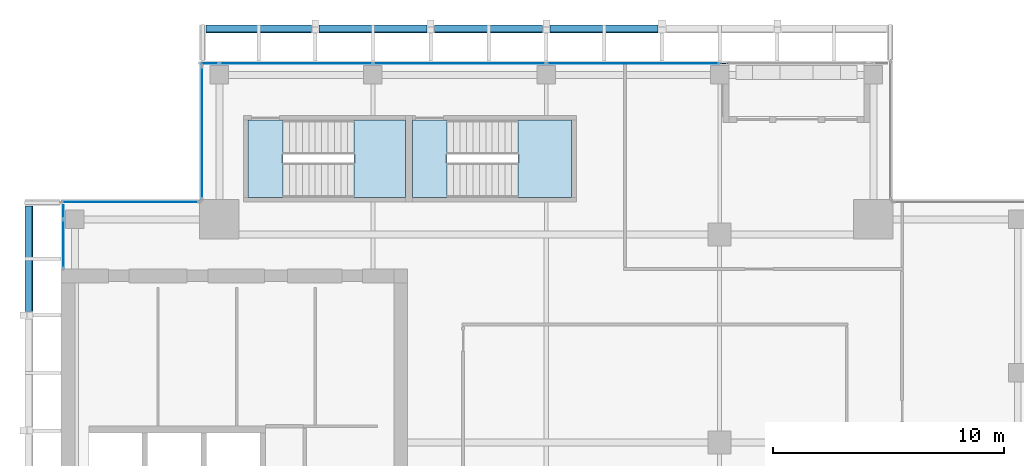
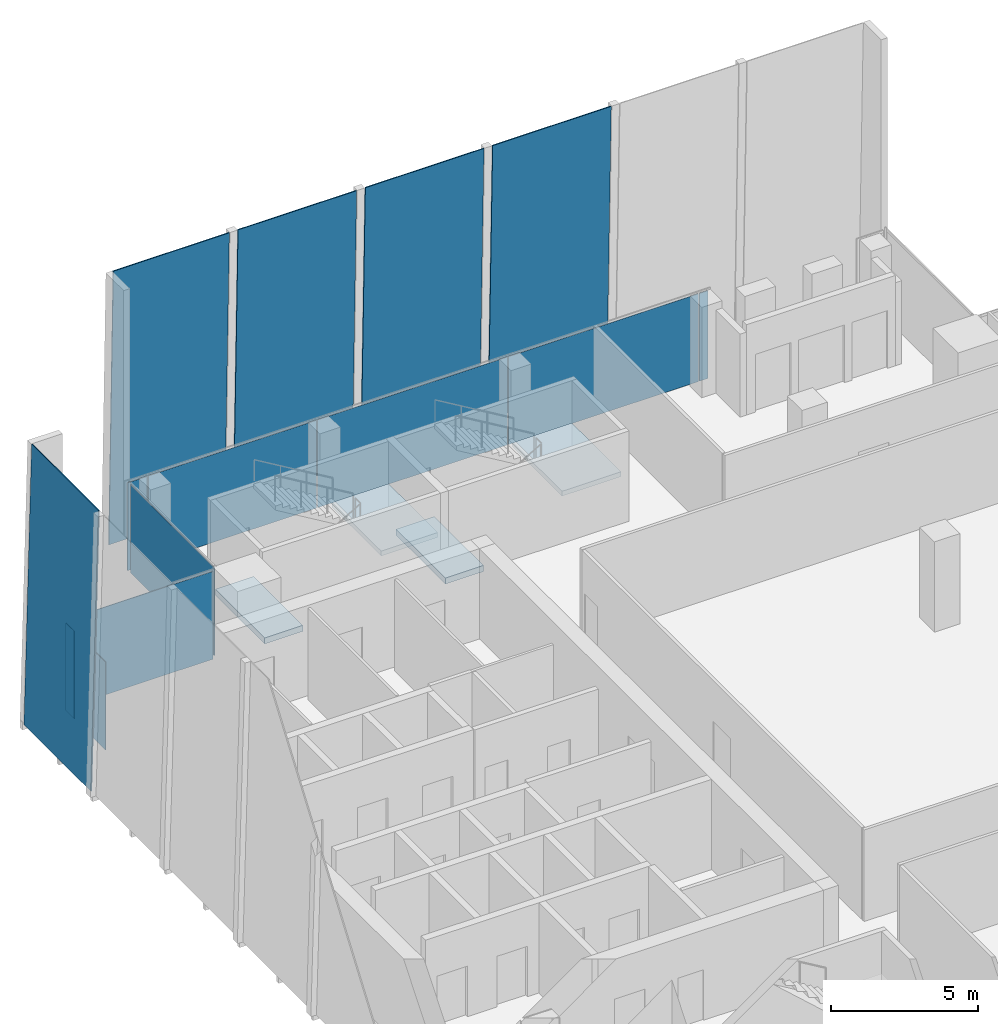
# One storey, part 24 of 32: 14 plates, 4 slabs, 6 elements without a shape of their own.
"""IFC4 building model written with IfcOpenShell, lengths in metres."""

from ifc_helpers import new_model, si_unit, direction, frame, origin, origin_2d, place, context, subcontext, project, spatial, polyline, rectangle, outline, extrude, source, transform, mapped, material, layer, layer_set, type_object, element, aggregate, save


model = new_model("IFC4")

# Units and contexts
model_context = context("Model", 3, precision=1e-05, world=origin(), true_north=direction((0.0, 1.0)))
body_context = subcontext(model_context, "Body", "Model", "MODEL_VIEW")
ifc_project = project(units=[si_unit("LENGTHUNIT", "METRE"), si_unit("AREAUNIT", "SQUARE_METRE"), si_unit("VOLUMEUNIT", "CUBIC_METRE"), si_unit("PLANEANGLEUNIT", "RADIAN"), si_unit("MASSUNIT", "GRAM", prefix="KILO")], contexts=[model_context])

# Site, building, storey
site_placement = place(None, origin())
site = spatial("IfcSite", under=ifc_project, at=site_placement, CompositionType="ELEMENT")
building_placement = place(site_placement, origin())
building = spatial("IfcBuilding", under=site, at=building_placement, Name="Khomas Fold Tower", CompositionType="ELEMENT")
storey_placement = place(building_placement, frame((0.0, 0.0, 318.199951171875)))
storey = spatial("IfcBuildingStorey", under=building, at=storey_placement, Name="L72", CompositionType="ELEMENT", Elevation=318.199951171875)

# Plates
ifc_material_1 = material(Name="Clear laminated glass", Category="glass")
ifc_layer_1 = layer(ifc_material_1, 0.0400390625)
ifc_layer_set_1 = layer_set([ifc_layer_1], Name="Clear laminated glass")
plate_type_1 = type_object("IfcPlateType", Name="SK-Clear laminated glass leaf", PredefinedType="SHEET", material=ifc_layer_set_1)
plate_1_placement = place(storey_placement, frame((12.27001953125, 49.5654296875, 0.0009765625), z_axis=(0.0, 0.999657230839, 0.026180543005), x_axis=(1.0, 0.0, 0.0)))
element("IfcPlate", 1, at=plate_1_placement, inside=storey, type_object=plate_type_1, Name="OUTER SKIN glass L72 N1", PredefinedType="SHEET", context=body_context, shape_type="SweptSolid", body=[
    extrude(outline(polyline([(0.0, 0.0), (4.56005859375, 0.0), (4.56005859375, -11.554009186164079), (0.0, -11.554009186164079), (0.0, 0.0)])), origin(), (0.0, 0.0, -1.0), 0.0400390625),
])
for number, where, z_axis, x_axis, name in (
    (2, (17.169921875, 49.5654296875, 0.0009765625), (0.0, 0.999657230839, 0.026180543005), (1.0, 0.0, 0.0), "OUTER SKIN glass L72 N3"),
    (3, (22.169921875, 49.5654296875, 0.0009765625), (0.0, 0.999657230839, 0.026180543005), (1.0, 0.0, 0.0), "OUTER SKIN glass L72 N5"),
    (4, (27.169921875, 49.5654296875, 0.0009765625), (0.0, 0.999657230839, 0.026180543005), (1.0, 0.0, 0.0), "OUTER SKIN glass L72 N7"),
):
    element("IfcPlate", number, at=place(storey_placement, frame(where, z_axis=z_axis, x_axis=x_axis)), inside=storey, type_object=plate_type_1, Name=name, PredefinedType="SHEET", context=body_context, shape_type="SweptSolid", body=[
        extrude(outline(polyline([(0.0, 0.0), (4.66015625, 0.0), (4.66015625, -11.554009186164079), (0.0, -11.554009186164079), (0.0, 0.0)])), origin(), (0.0, 0.0, -1.0), 0.0400390625),
    ])
plate_2_placement = place(storey_placement, frame((4.4345703125, 37.169921875, 0.0009765625), z_axis=(-0.999657230839, 0.0, 0.026180543005), x_axis=(0.0, 1.0, 0.0)))
element("IfcPlate", 5, at=plate_2_placement, inside=storey, type_object=plate_type_1, Name="OUTER SKIN glass L72 W11", PredefinedType="SHEET", context=body_context, shape_type="SweptSolid", body=[
    extrude(outline(polyline([(0.0, 0.0), (4.56005859375, 0.0), (4.56005859375, -11.554009186164079), (0.0, -11.554009186164079), (0.0, 0.0)])), origin(), (0.0, 0.0, -1.0), 0.0400390625),
])

# Curtain wall, plate
ifc_material_2 = material(Name="Aluminium framed double glazing", Category="aluminium")
curtain_wall_type = type_object("IfcCurtainWallType", Name="SK-Unitised clear-glass wall, upper floors CW3", PredefinedType="NOTDEFINED", material=ifc_material_2)
curtain_wall_1_placement = place(storey_placement, origin())
curtain_wall_1 = element("IfcCurtainWall", 6, at=curtain_wall_1_placement, inside=storey, type_object=curtain_wall_type, Name="CW3 run L72 09-0", PredefinedType="NOTDEFINED")
ifc_material_3 = material(Name="Clear double glazed unit")
ifc_layer_2 = layer(ifc_material_3, 0.028076171875)
ifc_layer_set_2 = layer_set([ifc_layer_2], Name="Clear double glazed unit")
plate_type_2 = type_object("IfcPlateType", Name="SK-Unitised clear-glass wall, upper floors glass panel CW3-P", PredefinedType="CURTAIN_PANEL", material=ifc_layer_set_2)
shared_shape_1 = source(origin(), body_context, "Body", "SweptSolid", [
    extrude(rectangle(XDim=0.574951171875, YDim=0.028076171875, at=origin_2d()), origin(), (0.0, 0.0, 1.0), 3.64990234375),
])
plate_3_placement = place(storey_placement, frame((6.10009765625, 41.46240234375, 0.0), z_axis=(0.0, 0.0, 1.0), x_axis=(0.0, -1.0, 0.0)))
plate_3 = element("IfcPlate", 7, at=plate_3_placement, type_object=plate_type_2, Name="CW3 glass panel 1", PredefinedType="CURTAIN_PANEL", context=body_context, shape_type="MappedRepresentation", body=[
    mapped(shared_shape_1, transform((0.0, 0.0, 0.0))),
])

# Curtain wall, plates
curtain_wall_2_placement = place(storey_placement, origin())
curtain_wall_2 = element("IfcCurtainWall", 8, at=curtain_wall_2_placement, inside=storey, type_object=curtain_wall_type, Name="CW3 run L72 06-1", PredefinedType="NOTDEFINED")
shared_shape_2 = source(origin(), body_context, "Body", "SweptSolid", [
    extrude(rectangle(XDim=6.60009765625, YDim=0.028076171875, at=origin_2d()), origin(), (0.0, 0.0, 1.0), 3.64990234375),
])
plate_4_placement = place(storey_placement, frame((16.175048828125, 47.89990234375, 0.0), z_axis=(0.0, 0.0, 1.0), x_axis=(-1.0, 0.0, 0.0)))
plate_4 = element("IfcPlate", 9, at=plate_4_placement, type_object=plate_type_2, Name="CW3 glass panel 4", PredefinedType="CURTAIN_PANEL", context=body_context, shape_type="MappedRepresentation", body=[
    mapped(shared_shape_2, transform((0.0, 0.0, 0.0))),
])
shared_shape_3 = source(origin(), body_context, "Body", "SweptSolid", [
    extrude(rectangle(XDim=7.449951171875, YDim=0.028076171875, at=origin_2d()), origin(), (0.0, 0.0, 1.0), 3.64990234375),
])
plate_5_placement = place(storey_placement, frame((30.75, 47.89990234375, 0.0), z_axis=(0.0, 0.0, 1.0), x_axis=(-1.0, 0.0, 0.0)))
plate_5 = element("IfcPlate", 10, at=plate_5_placement, type_object=plate_type_2, Name="CW3 glass panel 2", PredefinedType="CURTAIN_PANEL", context=body_context, shape_type="MappedRepresentation", body=[
    mapped(shared_shape_3, transform((0.0, 0.0, 0.0))),
])
plate_6_placement = place(storey_placement, frame((23.25, 47.89990234375, 0.0), z_axis=(0.0, 0.0, 1.0), x_axis=(-1.0, 0.0, 0.0)))
plate_6 = element("IfcPlate", 11, at=plate_6_placement, type_object=plate_type_2, Name="CW3 glass panel 3", PredefinedType="CURTAIN_PANEL", context=body_context, shape_type="MappedRepresentation", body=[
    mapped(shared_shape_3, transform((0.0, 0.0, 0.0))),
])
shared_shape_4 = source(origin(), body_context, "Body", "SweptSolid", [
    extrude(rectangle(XDim=0.77490234375, YDim=0.028076171875, at=origin_2d()), origin(), (0.0, 0.0, 1.0), 3.64990234375),
])
plate_7_placement = place(storey_placement, frame((12.4375, 47.89990234375, 0.0), z_axis=(0.0, 0.0, 1.0), x_axis=(-1.0, 0.0, 0.0)))
plate_7 = element("IfcPlate", 12, at=plate_7_placement, type_object=plate_type_2, Name="CW3 glass panel 5", PredefinedType="CURTAIN_PANEL", context=body_context, shape_type="MappedRepresentation", body=[
    mapped(shared_shape_4, transform((0.0, 0.0, 0.0))),
])

# Curtain wall, plate
curtain_wall_3_placement = place(storey_placement, origin())
curtain_wall_3 = element("IfcCurtainWall", 13, at=curtain_wall_3_placement, inside=storey, type_object=curtain_wall_type, Name="CW3 corner return L72 07", PredefinedType="NOTDEFINED")
shared_shape_5 = source(origin(), body_context, "Body", "SweptSolid", [
    extrude(rectangle(XDim=5.699951171875, YDim=0.028076171875, at=origin_2d()), origin(), (0.0, 0.0, 1.0), 3.64990234375),
])
plate_8_placement = place(storey_placement, frame((12.10009765625, 44.89990234375, 0.0), z_axis=(0.0, 0.0, 1.0), x_axis=(0.0, -1.0, 0.0)))
plate_8 = element("IfcPlate", 14, at=plate_8_placement, type_object=plate_type_2, Name="CW3 glass panel 1", PredefinedType="CURTAIN_PANEL", context=body_context, shape_type="MappedRepresentation", body=[
    mapped(shared_shape_5, transform((0.0, 0.0, 0.0))),
])
aggregate(curtain_wall_3, [plate_8])

curtain_wall_4_placement = place(storey_placement, origin())
curtain_wall_4 = element("IfcCurtainWall", 15, at=curtain_wall_4_placement, inside=storey, type_object=curtain_wall_type, Name="CW3 corner return L72 08", PredefinedType="NOTDEFINED")
shared_shape_6 = source(origin(), body_context, "Body", "SweptSolid", [
    extrude(rectangle(XDim=5.89990234375, YDim=0.028076171875, at=origin_2d()), origin(), (0.0, 0.0, 1.0), 3.64990234375),
])
plate_9_placement = place(storey_placement, frame((9.0, 41.89990234375, 0.0), z_axis=(0.0, 0.0, 1.0), x_axis=(-1.0, 0.0, 0.0)))
plate_9 = element("IfcPlate", 16, at=plate_9_placement, type_object=plate_type_2, Name="CW3 glass panel 1", PredefinedType="CURTAIN_PANEL", context=body_context, shape_type="MappedRepresentation", body=[
    mapped(shared_shape_6, transform((0.0, 0.0, 0.0))),
])
aggregate(curtain_wall_4, [plate_9])

# Plate
shared_shape_7 = source(origin(), body_context, "Body", "SweptSolid", [
    extrude(rectangle(XDim=0.324951171875, YDim=0.028076171875, at=origin_2d()), origin(), (0.0, 0.0, 1.0), 3.64990234375),
])
plate_10_placement = place(storey_placement, frame((34.6875, 47.89990234375, 0.0), z_axis=(0.0, 0.0, 1.0), x_axis=(-1.0, 0.0, 0.0)))
plate_10 = element("IfcPlate", 17, at=plate_10_placement, type_object=plate_type_2, Name="CW3 glass panel 1", PredefinedType="CURTAIN_PANEL", context=body_context, shape_type="MappedRepresentation", body=[
    mapped(shared_shape_7, transform((0.0, 0.0, 0.0))),
])

aggregate(curtain_wall_2, [plate_10, plate_5, plate_6, plate_4, plate_7])

shared_shape_8 = source(origin(), body_context, "Body", "SweptSolid", [
    extrude(rectangle(XDim=2.074951171875, YDim=0.028076171875, at=origin_2d()), origin(), (0.0, 0.0, 1.0), 3.64990234375),
])
plate_11_placement = place(storey_placement, frame((6.10009765625, 40.08740234375, 0.0), z_axis=(0.0, 0.0, 1.0), x_axis=(0.0, -1.0, 0.0)))
plate_11 = element("IfcPlate", 18, at=plate_11_placement, type_object=plate_type_2, Name="CW3 glass panel 2", PredefinedType="CURTAIN_PANEL", context=body_context, shape_type="MappedRepresentation", body=[
    mapped(shared_shape_8, transform((0.0, 0.0, 0.0))),
])

aggregate(curtain_wall_1, [plate_3, plate_11])

# Stair, slab
ifc_material_4 = material(Name="Concrete C40/50", Category="concrete")
stair_type_1 = type_object("IfcStairType", Name="Stair ST1", PredefinedType="HALF_TURN_STAIR", material=ifc_material_4)
stair_1_placement = place(storey_placement, origin())
stair_1 = element("IfcStair", 19, at=stair_1_placement, inside=storey, type_object=stair_type_1, Name="L72 ST1", PredefinedType="HALF_TURN_STAIR")
ifc_material_5 = material(Name="Concrete C40/50", Category="concrete")
ifc_layer_3 = layer(ifc_material_5, 0.199951171875)
ifc_layer_set_3 = layer_set([ifc_layer_3], Name="Concrete C40/50")
slab_type_1 = type_object("IfcSlabType", Name="Stair landing 200", PredefinedType="LANDING", material=ifc_layer_set_3)
shared_shape_9 = source(origin(), body_context, "Body", "SweptSolid", [
    extrude(outline(polyline([(18.679931640625, 42.10009765625), (20.89990234375, 42.10009765625), (20.89990234375, 45.449951171875), (18.679931640625, 45.449951171875), (18.679931640625, 42.10009765625)])), origin(), (0.0, 0.0, 1.0), 0.199951171875),
])
slab_1_placement = place(storey_placement, frame((0.0, 0.0, 1.800048828125)))
slab_1 = element("IfcSlab", 20, at=slab_1_placement, type_object=slab_type_1, Name="ST1 landing 1", PredefinedType="LANDING", context=body_context, shape_type="MappedRepresentation", body=[
    mapped(shared_shape_9, transform((0.0, 0.0, 0.0))),
])
aggregate(stair_1, [slab_1])

# Slab
ifc_material_6 = material(Name="Concrete C40/50", Category="concrete")
ifc_layer_4 = layer(ifc_material_6, 0.25)
ifc_layer_set_4 = layer_set([ifc_layer_4], Name="Concrete C40/50")
slab_type_2 = type_object("IfcSlabType", Name="Stair floor landing 250", PredefinedType="LANDING", material=ifc_layer_set_4)
shared_shape_10 = source(origin(), body_context, "Body", "SweptSolid", [
    extrude(outline(polyline([(15.60009765625, 42.10009765625), (14.10009765625, 42.10009765625), (14.10009765625, 45.449951171875), (15.60009765625, 45.449951171875), (15.60009765625, 42.10009765625)])), origin(), (0.0, 0.0, 1.0), 0.25),
])
slab_2_placement = place(storey_placement, frame((0.0, 0.0, -0.25)))
element("IfcSlab", 21, at=slab_2_placement, inside=storey, type_object=slab_type_2, Name="ST1 floor landing", PredefinedType="LANDING", context=body_context, shape_type="MappedRepresentation", body=[
    mapped(shared_shape_10, transform((0.0, 0.0, 0.0))),
])

# Stair, slab
ifc_material_7 = material(Name="Concrete C40/50", Category="concrete")
stair_type_2 = type_object("IfcStairType", Name="Stair ST3", PredefinedType="HALF_TURN_STAIR", material=ifc_material_7)
stair_2_placement = place(storey_placement, origin())
stair_2 = element("IfcStair", 22, at=stair_2_placement, inside=storey, type_object=stair_type_2, Name="L72 ST3", PredefinedType="HALF_TURN_STAIR")
shared_shape_11 = source(origin(), body_context, "Body", "SweptSolid", [
    extrude(outline(polyline([(25.780029296875, 42.10009765625), (28.10009765625, 42.10009765625), (28.10009765625, 45.449951171875), (25.780029296875, 45.449951171875), (25.780029296875, 42.10009765625)])), origin(), (0.0, 0.0, 1.0), 0.199951171875),
])
slab_3_placement = place(storey_placement, frame((0.0, 0.0, 1.800048828125)))
slab_3 = element("IfcSlab", 23, at=slab_3_placement, type_object=slab_type_1, Name="ST3 landing 1", PredefinedType="LANDING", context=body_context, shape_type="MappedRepresentation", body=[
    mapped(shared_shape_11, transform((0.0, 0.0, 0.0))),
])
aggregate(stair_2, [slab_3])

# Slab
shared_shape_12 = source(origin(), body_context, "Body", "SweptSolid", [
    extrude(outline(polyline([(22.699951171875, 42.10009765625), (21.199951171875, 42.10009765625), (21.199951171875, 45.449951171875), (22.699951171875, 45.449951171875), (22.699951171875, 42.10009765625)])), origin(), (0.0, 0.0, 1.0), 0.25),
])
slab_4_placement = place(storey_placement, frame((0.0, 0.0, -0.25)))
element("IfcSlab", 24, at=slab_4_placement, inside=storey, type_object=slab_type_2, Name="ST3 floor landing", PredefinedType="LANDING", context=body_context, shape_type="MappedRepresentation", body=[
    mapped(shared_shape_12, transform((0.0, 0.0, 0.0))),
])

save(model, "model.ifc")
